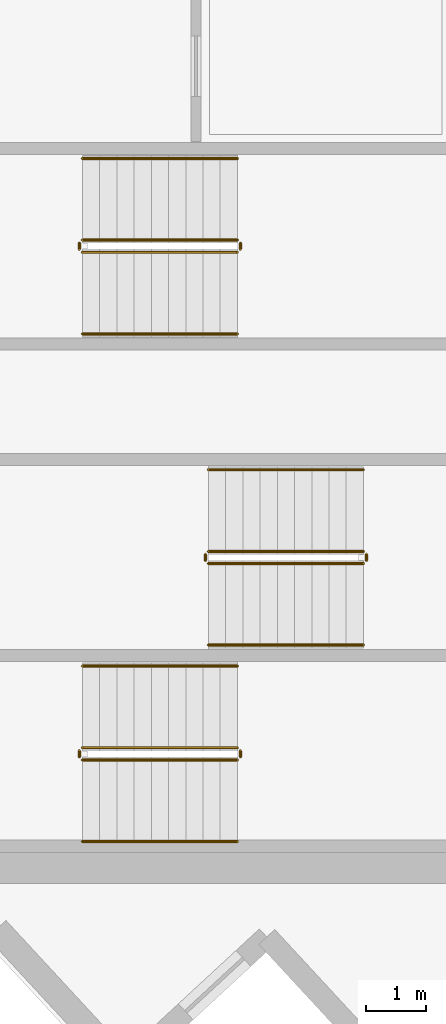
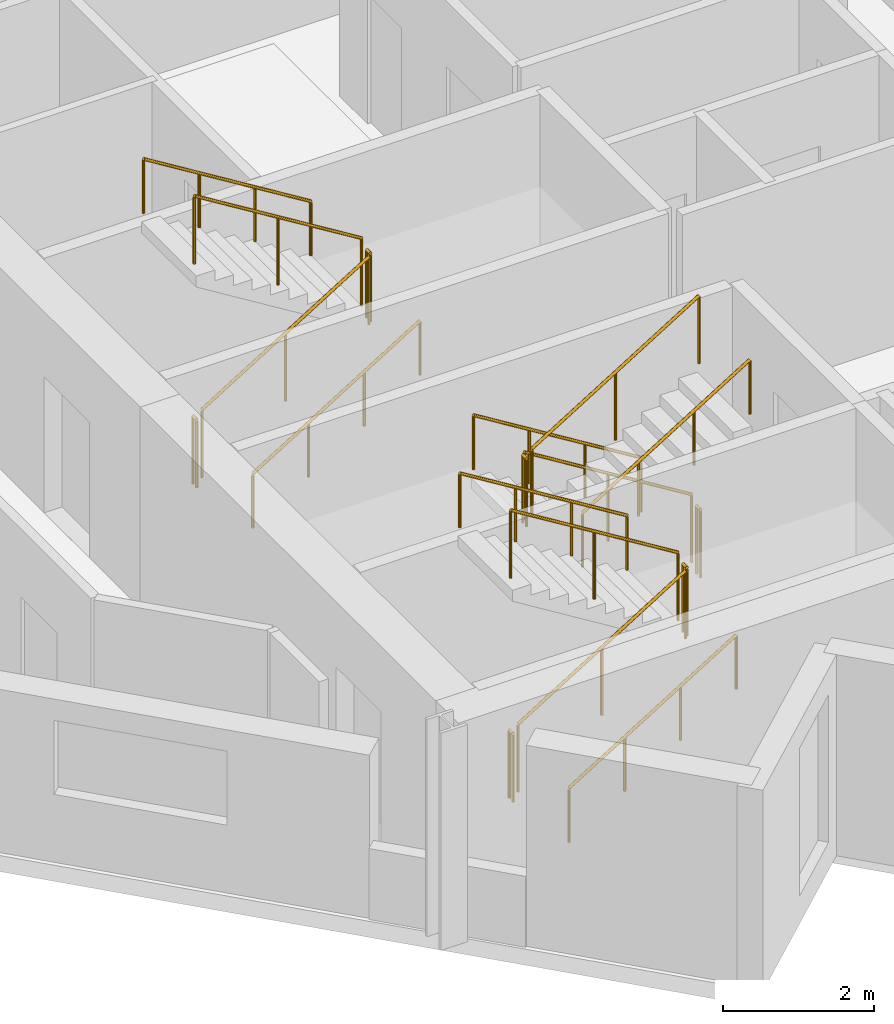
# One storey, part 13 of 14: 18 railings.
"""IFC4 building model written with IfcOpenShell, lengths in metres."""

from ifc_helpers import new_model, si_unit, direction, frame, origin, origin_2d, place, context, subcontext, project, spatial, circle, extrude, material, type_object, element, save


model = new_model("IFC4")

# Units and contexts
model_context = context("Model", 3, precision=1e-05, world=origin(), true_north=direction((0.0, 1.0)))
body_context = subcontext(model_context, "Body", "Model", "MODEL_VIEW")
ifc_project = project(units=[si_unit("LENGTHUNIT", "METRE"), si_unit("AREAUNIT", "SQUARE_METRE"), si_unit("VOLUMEUNIT", "CUBIC_METRE"), si_unit("PLANEANGLEUNIT", "RADIAN"), si_unit("MASSUNIT", "GRAM", prefix="KILO")], contexts=[model_context])

# Site, building, storey
site_placement = place(None, origin())
site = spatial("IfcSite", under=ifc_project, at=site_placement, CompositionType="ELEMENT")
building_placement = place(site_placement, origin())
building = spatial("IfcBuilding", under=site, at=building_placement, Name="Narakoshi Arena Tower", CompositionType="ELEMENT")
storey_placement = place(building_placement, frame((0.0, 0.0, 288.89990234375)))
storey = spatial("IfcBuildingStorey", under=building, at=storey_placement, Name="L79", CompositionType="ELEMENT", Elevation=288.89990234375)

# Railings
ifc_material_1 = material(Name="Clear low-iron laminated structural glass", Category="glass")
railing_type_1 = type_object("IfcRailingType", Name="RL-BAL-1100", PredefinedType="BALUSTRADE", material=ifc_material_1)
railing_1_placement = place(storey_placement, frame((74.39990234375, 36.949951171875, 0.176025390625)))
element("IfcRailing", 1, at=railing_1_placement, inside=storey, type_object=railing_type_1, Name="L79 ST1 stair guard 1", PredefinedType="BALUSTRADE", context=body_context, shape_type="SweptSolid", body=[
    extrude(circle(Radius=0.02392578125, at=origin_2d()), frame((0.0, 0.0, 1.09619140625), z_axis=(0.850856559306, 0.0, 0.525398054323), x_axis=(0.0, 1.0, 0.0)), (0.0, 0.0, 1.0), 3.014892578125),
    extrude(circle(Radius=0.02099609375, at=origin_2d()), origin(), (0.0, 0.0, 1.0), 1.072021484375),
    extrude(circle(Radius=0.02099609375, at=origin_2d()), frame((1.28271484375, 0.0, 0.7919921875)), (0.0, 0.0, 1.0), 1.072021484375),
    extrude(circle(Radius=0.02099609375, at=origin_2d()), frame((2.565185546875, 0.0, 1.583984375)), (0.0, 0.0, 1.0), 1.072021484375),
])
railing_2_placement = place(storey_placement, frame((77.014892578125, 37.0, 1.760009765625)))
element("IfcRailing", 2, at=railing_2_placement, inside=storey, type_object=railing_type_1, Name="L79 ST1 stair guard 2", PredefinedType="BALUSTRADE", context=body_context, shape_type="SweptSolid", body=[
    extrude(circle(Radius=0.02392578125, at=origin_2d()), frame((0.0, 0.0, 1.09619140625), z_axis=(0.0, 1.0, 0.0), x_axis=(-1.0, 0.0, 0.0)), (0.0, 0.0, 1.0), 0.10009765625),
    extrude(circle(Radius=0.02099609375, at=origin_2d()), origin(), (0.0, 0.0, 1.0), 1.072021484375),
    extrude(circle(Radius=0.02099609375, at=origin_2d()), frame((0.0, 0.10009765625, 0.0)), (0.0, 0.0, 1.0), 1.072021484375),
])
railing_3_placement = place(storey_placement, frame((76.965087890625, 37.14990234375, 1.93603515625)))
element("IfcRailing", 3, at=railing_3_placement, inside=storey, type_object=railing_type_1, Name="L79 ST1 stair guard 3", PredefinedType="BALUSTRADE", context=body_context, shape_type="SweptSolid", body=[
    extrude(circle(Radius=0.02392578125, at=origin_2d()), frame((0.0, 0.0, 1.09619140625), z_axis=(-0.850856559306, 0.0, 0.525398054323), x_axis=(0.0, -1.0, 0.0)), (0.0, 0.0, 1.0), 3.014892578125),
    extrude(circle(Radius=0.02099609375, at=origin_2d()), origin(), (0.0, 0.0, 1.0), 1.072021484375),
    extrude(circle(Radius=0.02099609375, at=origin_2d()), frame((-1.28271484375, 0.0, 0.7919921875)), (0.0, 0.0, 1.0), 1.072021484375),
    extrude(circle(Radius=0.02099609375, at=origin_2d()), frame((-2.565185546875, 0.0, 1.583984375)), (0.0, 0.0, 1.0), 1.072021484375),
])
railing_4_placement = place(storey_placement, frame((74.35009765625, 37.0, 0.0)))
element("IfcRailing", 4, at=railing_4_placement, inside=storey, type_object=railing_type_1, Name="L79 ST1 stair guard 4", PredefinedType="BALUSTRADE", context=body_context, shape_type="SweptSolid", body=[
    extrude(circle(Radius=0.02392578125, at=origin_2d()), frame((0.0, 0.0, 1.09619140625), z_axis=(0.0, 1.0, 0.0), x_axis=(-1.0, 0.0, 0.0)), (0.0, 0.0, 1.0), 0.10009765625),
    extrude(circle(Radius=0.02099609375, at=origin_2d()), origin(), (0.0, 0.0, 1.0), 1.072021484375),
    extrude(circle(Radius=0.02099609375, at=origin_2d()), frame((0.0, 0.10009765625, 0.0)), (0.0, 0.0, 1.0), 1.072021484375),
])
railing_5_placement = place(storey_placement, frame((79.050048828125, 40.39990234375, 0.176025390625)))
element("IfcRailing", 5, at=railing_5_placement, inside=storey, type_object=railing_type_1, Name="L79 ST2 stair guard 1", PredefinedType="BALUSTRADE", context=body_context, shape_type="SweptSolid", body=[
    extrude(circle(Radius=0.02392578125, at=origin_2d()), frame((0.0, 0.0, 1.09619140625), z_axis=(-0.850834203031, 0.0, 0.525434257497), x_axis=(0.0, -1.0, 0.0)), (0.0, 0.0, 1.0), 3.0146484375),
    extrude(circle(Radius=0.02099609375, at=origin_2d()), origin(), (0.0, 0.0, 1.0), 1.072021484375),
    extrude(circle(Radius=0.02099609375, at=origin_2d()), frame((-1.282470703125, 0.0, 0.7919921875)), (0.0, 0.0, 1.0), 1.072021484375),
    extrude(circle(Radius=0.02099609375, at=origin_2d()), frame((-2.56494140625, 0.0, 1.583984375)), (0.0, 0.0, 1.0), 1.072021484375),
])
railing_6_placement = place(storey_placement, frame((76.43505859375, 40.35009765625, 1.760009765625)))
element("IfcRailing", 6, at=railing_6_placement, inside=storey, type_object=railing_type_1, Name="L79 ST2 stair guard 2", PredefinedType="BALUSTRADE", context=body_context, shape_type="SweptSolid", body=[
    extrude(circle(Radius=0.02392578125, at=origin_2d()), frame((0.0, 0.0, 1.09619140625), z_axis=(0.0, -1.0, 0.0), x_axis=(1.0, 0.0, 0.0)), (0.0, 0.0, 1.0), 0.10009765625),
    extrude(circle(Radius=0.02099609375, at=origin_2d()), origin(), (0.0, 0.0, 1.0), 1.072021484375),
    extrude(circle(Radius=0.02099609375, at=origin_2d()), frame((0.0, -0.10009765625, 0.0)), (0.0, 0.0, 1.0), 1.072021484375),
])
railing_7_placement = place(storey_placement, frame((76.485107421875, 40.199951171875, 1.93603515625)))
element("IfcRailing", 7, at=railing_7_placement, inside=storey, type_object=railing_type_1, Name="L79 ST2 stair guard 3", PredefinedType="BALUSTRADE", context=body_context, shape_type="SweptSolid", body=[
    extrude(circle(Radius=0.02392578125, at=origin_2d()), frame((0.0, 0.0, 1.09619140625), z_axis=(0.850834203031, 0.0, 0.525434257497), x_axis=(0.0, 1.0, 0.0)), (0.0, 0.0, 1.0), 3.0146484375),
    extrude(circle(Radius=0.02099609375, at=origin_2d()), origin(), (0.0, 0.0, 1.0), 1.072021484375),
    extrude(circle(Radius=0.02099609375, at=origin_2d()), frame((1.282470703125, 0.0, 0.7919921875)), (0.0, 0.0, 1.0), 1.072021484375),
    extrude(circle(Radius=0.02099609375, at=origin_2d()), frame((2.56494140625, 0.0, 1.583984375)), (0.0, 0.0, 1.0), 1.072021484375),
])
railing_8_placement = place(storey_placement, frame((79.10009765625, 40.35009765625, 0.0)))
element("IfcRailing", 8, at=railing_8_placement, inside=storey, type_object=railing_type_1, Name="L79 ST2 stair guard 4", PredefinedType="BALUSTRADE", context=body_context, shape_type="SweptSolid", body=[
    extrude(circle(Radius=0.02392578125, at=origin_2d()), frame((0.0, 0.0, 1.09619140625), z_axis=(0.0, -1.0, 0.0), x_axis=(1.0, 0.0, 0.0)), (0.0, 0.0, 1.0), 0.10009765625),
    extrude(circle(Radius=0.02099609375, at=origin_2d()), origin(), (0.0, 0.0, 1.0), 1.072021484375),
    extrude(circle(Radius=0.02099609375, at=origin_2d()), frame((0.0, -0.10009765625, 0.0)), (0.0, 0.0, 1.0), 1.072021484375),
])
railing_9_placement = place(storey_placement, frame((74.39990234375, 45.35009765625, 0.176025390625)))
element("IfcRailing", 9, at=railing_9_placement, inside=storey, type_object=railing_type_1, Name="L79 ST3 stair guard 1", PredefinedType="BALUSTRADE", context=body_context, shape_type="SweptSolid", body=[
    extrude(circle(Radius=0.02392578125, at=origin_2d()), frame((0.0, 0.0, 1.09619140625), z_axis=(0.850856559306, 0.0, 0.525398054323), x_axis=(0.0, 1.0, 0.0)), (0.0, 0.0, 1.0), 3.014892578125),
    extrude(circle(Radius=0.02099609375, at=origin_2d()), origin(), (0.0, 0.0, 1.0), 1.072021484375),
    extrude(circle(Radius=0.02099609375, at=origin_2d()), frame((1.28271484375, 0.0, 0.7919921875)), (0.0, 0.0, 1.0), 1.072021484375),
    extrude(circle(Radius=0.02099609375, at=origin_2d()), frame((2.565185546875, 0.0, 1.583984375)), (0.0, 0.0, 1.0), 1.072021484375),
])
railing_10_placement = place(storey_placement, frame((77.014892578125, 45.39990234375, 1.760009765625)))
element("IfcRailing", 10, at=railing_10_placement, inside=storey, type_object=railing_type_1, Name="L79 ST3 stair guard 2", PredefinedType="BALUSTRADE", context=body_context, shape_type="SweptSolid", body=[
    extrude(circle(Radius=0.02392578125, at=origin_2d()), frame((0.0, 0.0, 1.09619140625), z_axis=(0.0, 1.0, 0.0), x_axis=(-1.0, 0.0, 0.0)), (0.0, 0.0, 1.0), 0.10009765625),
    extrude(circle(Radius=0.02099609375, at=origin_2d()), origin(), (0.0, 0.0, 1.0), 1.072021484375),
    extrude(circle(Radius=0.02099609375, at=origin_2d()), frame((0.0, 0.10009765625, 0.0)), (0.0, 0.0, 1.0), 1.072021484375),
])
railing_11_placement = place(storey_placement, frame((76.965087890625, 45.550048828125, 1.93603515625)))
element("IfcRailing", 11, at=railing_11_placement, inside=storey, type_object=railing_type_1, Name="L79 ST3 stair guard 3", PredefinedType="BALUSTRADE", context=body_context, shape_type="SweptSolid", body=[
    extrude(circle(Radius=0.02392578125, at=origin_2d()), frame((0.0, 0.0, 1.09619140625), z_axis=(-0.850856559306, 0.0, 0.525398054323), x_axis=(0.0, -1.0, 0.0)), (0.0, 0.0, 1.0), 3.014892578125),
    extrude(circle(Radius=0.02099609375, at=origin_2d()), origin(), (0.0, 0.0, 1.0), 1.072021484375),
    extrude(circle(Radius=0.02099609375, at=origin_2d()), frame((-1.28271484375, 0.0, 0.7919921875)), (0.0, 0.0, 1.0), 1.072021484375),
    extrude(circle(Radius=0.02099609375, at=origin_2d()), frame((-2.565185546875, 0.0, 1.583984375)), (0.0, 0.0, 1.0), 1.072021484375),
])
railing_12_placement = place(storey_placement, frame((74.35009765625, 45.39990234375, 0.0)))
element("IfcRailing", 12, at=railing_12_placement, inside=storey, type_object=railing_type_1, Name="L79 ST3 stair guard 4", PredefinedType="BALUSTRADE", context=body_context, shape_type="SweptSolid", body=[
    extrude(circle(Radius=0.02392578125, at=origin_2d()), frame((0.0, 0.0, 1.09619140625), z_axis=(0.0, 1.0, 0.0), x_axis=(-1.0, 0.0, 0.0)), (0.0, 0.0, 1.0), 0.10009765625),
    extrude(circle(Radius=0.02099609375, at=origin_2d()), origin(), (0.0, 0.0, 1.0), 1.072021484375),
    extrude(circle(Radius=0.02099609375, at=origin_2d()), frame((0.0, 0.10009765625, 0.0)), (0.0, 0.0, 1.0), 1.072021484375),
])
ifc_material_2 = material(Name="Brushed bronze stainless steel", Category="steel")
railing_type_2 = type_object("IfcRailingType", Name="RL-HND-900", PredefinedType="HANDRAIL", material=ifc_material_2)
railing_13_placement = place(storey_placement, frame((74.39990234375, 35.60009765625, 0.176025390625)))
element("IfcRailing", 13, at=railing_13_placement, inside=storey, type_object=railing_type_2, Name="L79 ST1 stair handrail 1", PredefinedType="HANDRAIL", context=body_context, shape_type="SweptSolid", body=[
    extrude(circle(Radius=0.02392578125, at=origin_2d()), frame((0.0, 0.0, 0.8759765625), z_axis=(0.850856559306, 0.0, 0.525398054323), x_axis=(0.0, 1.0, 0.0)), (0.0, 0.0, 1.0), 3.014892578125),
    extrude(circle(Radius=0.02099609375, at=origin_2d()), origin(), (0.0, 0.0, 1.0), 0.851806640625),
    extrude(circle(Radius=0.02099609375, at=origin_2d()), frame((0.85498046875, 0.0, 0.528076171875)), (0.0, 0.0, 1.0), 0.851806640625),
    extrude(circle(Radius=0.02099609375, at=origin_2d()), frame((1.710205078125, 0.0, 1.055908203125)), (0.0, 0.0, 1.0), 0.851806640625),
    extrude(circle(Radius=0.02099609375, at=origin_2d()), frame((2.565185546875, 0.0, 1.583984375)), (0.0, 0.0, 1.0), 0.851806640625),
])
railing_14_placement = place(storey_placement, frame((76.965087890625, 38.5, 1.93603515625)))
element("IfcRailing", 14, at=railing_14_placement, inside=storey, type_object=railing_type_2, Name="L79 ST1 stair handrail 2", PredefinedType="HANDRAIL", context=body_context, shape_type="SweptSolid", body=[
    extrude(circle(Radius=0.02392578125, at=origin_2d()), frame((0.0, 0.0, 0.8759765625), z_axis=(-0.850856559306, 0.0, 0.525398054323), x_axis=(0.0, -1.0, 0.0)), (0.0, 0.0, 1.0), 3.014892578125),
    extrude(circle(Radius=0.02099609375, at=origin_2d()), origin(), (0.0, 0.0, 1.0), 0.851806640625),
    extrude(circle(Radius=0.02099609375, at=origin_2d()), frame((-0.85498046875, 0.0, 0.528076171875)), (0.0, 0.0, 1.0), 0.851806640625),
    extrude(circle(Radius=0.02099609375, at=origin_2d()), frame((-1.710205078125, 0.0, 1.055908203125)), (0.0, 0.0, 1.0), 0.851806640625),
    extrude(circle(Radius=0.02099609375, at=origin_2d()), frame((-2.565185546875, 0.0, 1.583984375)), (0.0, 0.0, 1.0), 0.851806640625),
])
railing_15_placement = place(storey_placement, frame((79.050048828125, 41.75, 0.176025390625)))
element("IfcRailing", 15, at=railing_15_placement, inside=storey, type_object=railing_type_2, Name="L79 ST2 stair handrail 1", PredefinedType="HANDRAIL", context=body_context, shape_type="SweptSolid", body=[
    extrude(circle(Radius=0.02392578125, at=origin_2d()), frame((0.0, 0.0, 0.8759765625), z_axis=(-0.850834203031, 0.0, 0.525434257497), x_axis=(0.0, -1.0, 0.0)), (0.0, 0.0, 1.0), 3.0146484375),
    extrude(circle(Radius=0.02099609375, at=origin_2d()), origin(), (0.0, 0.0, 1.0), 0.851806640625),
    extrude(circle(Radius=0.02099609375, at=origin_2d()), frame((-0.85498046875, 0.0, 0.528076171875)), (0.0, 0.0, 1.0), 0.851806640625),
    extrude(circle(Radius=0.02099609375, at=origin_2d()), frame((-1.7099609375, 0.0, 1.055908203125)), (0.0, 0.0, 1.0), 0.851806640625),
    extrude(circle(Radius=0.02099609375, at=origin_2d()), frame((-2.56494140625, 0.0, 1.583984375)), (0.0, 0.0, 1.0), 0.851806640625),
])
railing_16_placement = place(storey_placement, frame((76.485107421875, 38.85009765625, 1.93603515625)))
element("IfcRailing", 16, at=railing_16_placement, inside=storey, type_object=railing_type_2, Name="L79 ST2 stair handrail 2", PredefinedType="HANDRAIL", context=body_context, shape_type="SweptSolid", body=[
    extrude(circle(Radius=0.02392578125, at=origin_2d()), frame((0.0, 0.0, 0.8759765625), z_axis=(0.850834203031, 0.0, 0.525434257497), x_axis=(0.0, 1.0, 0.0)), (0.0, 0.0, 1.0), 3.0146484375),
    extrude(circle(Radius=0.02099609375, at=origin_2d()), origin(), (0.0, 0.0, 1.0), 0.851806640625),
    extrude(circle(Radius=0.02099609375, at=origin_2d()), frame((0.85498046875, 0.0, 0.528076171875)), (0.0, 0.0, 1.0), 0.851806640625),
    extrude(circle(Radius=0.02099609375, at=origin_2d()), frame((1.7099609375, 0.0, 1.055908203125)), (0.0, 0.0, 1.0), 0.851806640625),
    extrude(circle(Radius=0.02099609375, at=origin_2d()), frame((2.56494140625, 0.0, 1.583984375)), (0.0, 0.0, 1.0), 0.851806640625),
])
railing_17_placement = place(storey_placement, frame((74.39990234375, 44.0, 0.176025390625)))
element("IfcRailing", 17, at=railing_17_placement, inside=storey, type_object=railing_type_2, Name="L79 ST3 stair handrail 1", PredefinedType="HANDRAIL", context=body_context, shape_type="SweptSolid", body=[
    extrude(circle(Radius=0.02392578125, at=origin_2d()), frame((0.0, 0.0, 0.8759765625), z_axis=(0.850856559306, 0.0, 0.525398054323), x_axis=(0.0, 1.0, 0.0)), (0.0, 0.0, 1.0), 3.014892578125),
    extrude(circle(Radius=0.02099609375, at=origin_2d()), origin(), (0.0, 0.0, 1.0), 0.851806640625),
    extrude(circle(Radius=0.02099609375, at=origin_2d()), frame((0.85498046875, 0.0, 0.528076171875)), (0.0, 0.0, 1.0), 0.851806640625),
    extrude(circle(Radius=0.02099609375, at=origin_2d()), frame((1.710205078125, 0.0, 1.055908203125)), (0.0, 0.0, 1.0), 0.851806640625),
    extrude(circle(Radius=0.02099609375, at=origin_2d()), frame((2.565185546875, 0.0, 1.583984375)), (0.0, 0.0, 1.0), 0.851806640625),
])
railing_18_placement = place(storey_placement, frame((76.965087890625, 46.89990234375, 1.93603515625)))
element("IfcRailing", 18, at=railing_18_placement, inside=storey, type_object=railing_type_2, Name="L79 ST3 stair handrail 2", PredefinedType="HANDRAIL", context=body_context, shape_type="SweptSolid", body=[
    extrude(circle(Radius=0.02392578125, at=origin_2d()), frame((0.0, 0.0, 0.8759765625), z_axis=(-0.850856559306, 0.0, 0.525398054323), x_axis=(0.0, -1.0, 0.0)), (0.0, 0.0, 1.0), 3.014892578125),
    extrude(circle(Radius=0.02099609375, at=origin_2d()), origin(), (0.0, 0.0, 1.0), 0.851806640625),
    extrude(circle(Radius=0.02099609375, at=origin_2d()), frame((-0.85498046875, 0.0, 0.528076171875)), (0.0, 0.0, 1.0), 0.851806640625),
    extrude(circle(Radius=0.02099609375, at=origin_2d()), frame((-1.710205078125, 0.0, 1.055908203125)), (0.0, 0.0, 1.0), 0.851806640625),
    extrude(circle(Radius=0.02099609375, at=origin_2d()), frame((-2.565185546875, 0.0, 1.583984375)), (0.0, 0.0, 1.0), 0.851806640625),
])

save(model, "model.ifc")
